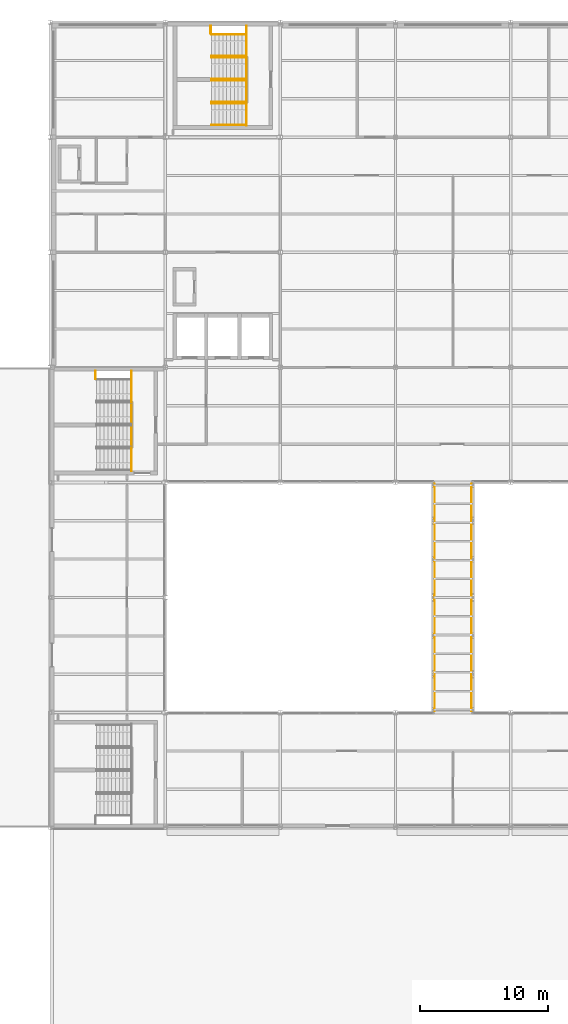
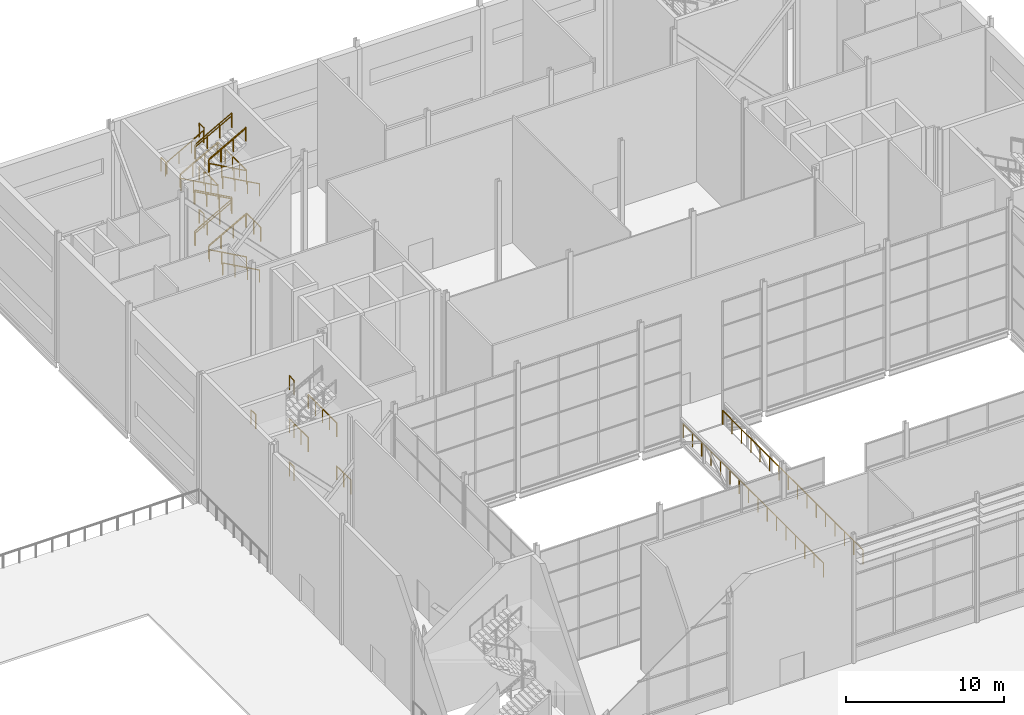
# One storey, part 108 of 111: 34 railings.
"""IFC4 building model written with IfcOpenShell, lengths in metres."""

import ifcopenshell
import ifcopenshell.guid

model = None  # the IFC model being written
_history = None  # IfcOwnerHistory: only IFC2X3 demands one
_inside = {}  # id of a spatial element -> (the spatial element, [elements in it])
_under = {}  # id of a project, library or spatial element -> (it, [spatial elements below it])
_declared = {}  # id of a project -> (the project, [libraries it declares])
_typed = {}  # id of a type object -> (the type object, [elements of that type])
_made_of = {}  # id of a material, layer set ... -> (it, [elements and type objects made of it])


def new_model(schema):
    """Start an empty IFC model of exactly this schema.

    Asked for "IFC4X3", IfcOpenShell would pick the latest addendum, in which some entities
    have other attributes; the version numbers below select the first issue.
    IFC2X3 requires an IfcOwnerHistory on every rooted entity: one is made here for all.
    """
    global model, _history
    if schema == "IFC4X3":
        model = ifcopenshell.file(schema_version=(4, 3, 0, 0))
    else:
        model = ifcopenshell.file(schema=schema)
    _inside.clear()
    _under.clear()
    _declared.clear()
    _typed.clear()
    _made_of.clear()
    _history = None
    if model.schema == "IFC2X3":
        org = make("IfcOrganization", Name="unknown")
        user = make(
            "IfcPersonAndOrganization",
            ThePerson=make("IfcPerson", FamilyName="unknown"),
            TheOrganization=org,
        )
        app = make(
            "IfcApplication",
            ApplicationDeveloper=org,
            Version="unknown",
            ApplicationFullName="unknown",
            ApplicationIdentifier="unknown",
        )
        _history = make(
            "IfcOwnerHistory",
            OwningUser=user,
            OwningApplication=app,
            ChangeAction="ADDED",
            CreationDate=0,
        )
    return model


def make(cls, **values):
    """One entity of the class cls with the attributes given. An attribute that is None is left unset."""
    return model.create_entity(
        cls, **{name: value for name, value in values.items() if value is not None}
    )


def rooted(cls, **values):
    """An entity with a GlobalId (a new one), such as an element, a storey or a relation."""
    return make(cls, GlobalId=ifcopenshell.guid.new(), OwnerHistory=_history, **values)


def si_unit(unit_type, name, prefix=None):
    """IfcSIUnit, for example si_unit("LENGTHUNIT", "METRE", prefix="MILLI")."""
    return make("IfcSIUnit", UnitType=unit_type, Prefix=prefix, Name=name)


def assignment(units):
    """IfcUnitAssignment: the units of a project."""
    return None if units is None else make("IfcUnitAssignment", Units=units)


def point(xyz):
    """IfcCartesianPoint."""
    return None if xyz is None else make("IfcCartesianPoint", Coordinates=xyz)


def direction(xyz):
    """IfcDirection."""
    return None if xyz is None else make("IfcDirection", DirectionRatios=xyz)


def frame(location, z_axis=None, x_axis=None):
    """IfcAxis2Placement3D, a coordinate frame: its origin and axes. An axis left out is left unset."""
    return make(
        "IfcAxis2Placement3D",
        Location=point(location),
        Axis=direction(z_axis),
        RefDirection=direction(x_axis),
    )


def frame_2d(location, x_axis=None):
    """IfcAxis2Placement2D, a coordinate frame in the plane: its origin and x axis."""
    return make(
        "IfcAxis2Placement2D", Location=point(location), RefDirection=direction(x_axis)
    )


def origin():
    """The frame at (0, 0, 0) with its axes left unset."""
    return frame((0.0, 0.0, 0.0))


def origin_2d():
    """The frame at (0, 0) in the plane with its x axis left unset."""
    return frame_2d((0.0, 0.0))


def place(relative_to, where):
    """IfcLocalPlacement: puts the frame where relative to a parent placement (None: the world)."""
    return make(
        "IfcLocalPlacement", PlacementRelTo=relative_to, RelativePlacement=where
    )


def context(
    kind, dimensions, precision=None, world=None, true_north=None, identifier=None
):
    """IfcGeometricRepresentationContext, for example the 3D "Model" context."""
    return make(
        "IfcGeometricRepresentationContext",
        ContextIdentifier=identifier,
        ContextType=kind,
        CoordinateSpaceDimension=dimensions,
        Precision=precision,
        WorldCoordinateSystem=world,
        TrueNorth=true_north,
    )


def subcontext(parent, identifier, kind, view, scale=None):
    """IfcGeometricRepresentationSubContext, for example "Body" below "Model"."""
    return make(
        "IfcGeometricRepresentationSubContext",
        ContextIdentifier=identifier,
        ContextType=kind,
        ParentContext=parent,
        TargetScale=scale,
        TargetView=view,
    )


def project(units=None, contexts=None):
    """IfcProject with its units and contexts."""
    return rooted(
        "IfcProject",
        Name="project",
        RepresentationContexts=contexts,
        UnitsInContext=assignment(units),
    )


def spatial(cls, under=None, at=None, **own):
    """A site, building, storey or space (cls), placed at a placement, below another one or the project."""
    s = rooted(cls, ObjectPlacement=at, **own)
    if under is not None:
        _under.setdefault(under.id(), (under, []))[1].append(s)
    return s


def profile(cls, at=None, kind="AREA", **sizes):
    """A parametric profile (cls). Its sizes go by their IFC names, for example OverallWidth=200.0."""
    return make(cls, ProfileType=kind, Position=at, **sizes)


def circle(**sizes):
    """IfcCircleProfileDef."""
    return profile("IfcCircleProfileDef", **sizes)


def extrude(swept, where, along, depth):
    """IfcExtrudedAreaSolid: the profile swept, set in the frame where, extruded along a direction by depth."""
    return make(
        "IfcExtrudedAreaSolid",
        SweptArea=swept,
        Position=where,
        ExtrudedDirection=direction(along),
        Depth=depth,
    )


def shape(context_of_items, identifier, shape_type, items):
    """IfcShapeRepresentation: the items that make up one representation, for example the "Body"."""
    return make(
        "IfcShapeRepresentation",
        ContextOfItems=context_of_items,
        RepresentationIdentifier=identifier,
        RepresentationType=shape_type,
        Items=items,
    )


def material(Name=None, Category=None):
    """IfcMaterial."""
    return make("IfcMaterial", Name=Name, Category=Category)


def made_of(thing, what):
    """Note that an element or type object is made of a material, layer set ...; save() writes the relation."""
    if what is not None:
        _made_of.setdefault(what.id(), (what, []))[1].append(thing)
    return thing


def type_object(cls, material=None, **own):
    """A type object (cls), such as IfcWallType, which elements share."""
    return made_of(rooted(cls, **own), material)


def element(
    cls,
    number,
    at=None,
    inside=None,
    cuts=None,
    type_object=None,
    material=None,
    context=None,
    identifier="Body",
    shape_type=None,
    held_by="IfcProductDefinitionShape",
    body=None,
    shapes=None,
    **own,
):
    """One element of the class cls, such as IfcWall. Its Tag is "e" and its number.

    at: its placement. inside: the storey or other place that contains it. cuts: it is an
    opening in that element (IfcRelVoidsElement). A single representation is given by context,
    identifier, shape_type and body (its items); several are given by shapes. held_by: the class
    of the entity that holds the representations. save() writes the other relations.
    """
    e = rooted(cls, Tag="e%d" % number, ObjectPlacement=at, **own)
    if body is not None:
        shapes = [shape(context, identifier, shape_type, body)]
    if shapes is not None:
        e.Representation = make(held_by, Representations=shapes)
    if inside is not None:
        _inside.setdefault(inside.id(), (inside, []))[1].append(e)
    if cuts is not None:
        rooted(
            "IfcRelVoidsElement", RelatingBuildingElement=cuts, RelatedOpeningElement=e
        )
    if type_object is not None:
        _typed.setdefault(type_object.id(), (type_object, []))[1].append(e)
    return made_of(e, material)


def aggregate(whole, parts):
    """IfcRelAggregates: a whole, such as a stair, and the parts it consists of."""
    return rooted("IfcRelAggregates", RelatingObject=whole, RelatedObjects=parts)


def save(model, path):
    """Write the relations noted so far, then the file.

    IfcRelAggregates (storeys below a building ...), IfcRelContainedInSpatialStructure (elements
    in a storey), IfcRelDefinesByType, IfcRelAssociatesMaterial and IfcRelDeclares: one each for
    every whole, place, type object, material and project.
    """
    for whole, parts in _under.values():
        aggregate(whole, parts)
    for where, things in _inside.values():
        rooted(
            "IfcRelContainedInSpatialStructure",
            RelatedElements=things,
            RelatingStructure=where,
        )
    for kind, things in _typed.values():
        rooted("IfcRelDefinesByType", RelatedObjects=things, RelatingType=kind)
    for what, things in _made_of.values():
        rooted("IfcRelAssociatesMaterial", RelatedObjects=things, RelatingMaterial=what)
    for by, libraries in _declared.values():
        rooted("IfcRelDeclares", RelatingContext=by, RelatedDefinitions=libraries)
    model.write(path)


model = new_model("IFC4")

# Units and contexts
model_context = context("Model", 3, precision=1e-05, world=origin(), true_north=direction((0.0, 1.0)))
body_context = subcontext(model_context, "Body", "Model", "MODEL_VIEW")
ifc_project = project(units=[si_unit("LENGTHUNIT", "METRE"), si_unit("AREAUNIT", "SQUARE_METRE"), si_unit("VOLUMEUNIT", "CUBIC_METRE"), si_unit("PLANEANGLEUNIT", "RADIAN"), si_unit("MASSUNIT", "GRAM", prefix="KILO")], contexts=[model_context])

# Site, building, storey
site_placement = place(None, origin())
site = spatial("IfcSite", under=ifc_project, at=site_placement, CompositionType="ELEMENT")
building_placement = place(site_placement, origin())
building = spatial("IfcBuilding", under=site, at=building_placement, Name="Shorebreak Coast Museum", CompositionType="ELEMENT")
storey_placement = place(building_placement, frame((0.0, 0.0, 16.0)))
storey = spatial("IfcBuildingStorey", under=building, at=storey_placement, Name="L03", CompositionType="ELEMENT", Elevation=16.0)

# Railings
ifc_material_1 = material(Name="Steel Grade 300", Category="steel")
railing_type_1 = type_object("IfcRailingType", Name="Bridge guard 1100", PredefinedType="GUARDRAIL", material=ifc_material_1)
railing_1_placement = place(storey_placement, frame((84.050048828125, 63.114501953125, 0.0)))
element("IfcRailing", 1, at=railing_1_placement, inside=storey, type_object=railing_type_1, Name="Guard bridge BR2 W", PredefinedType="GUARDRAIL", context=body_context, shape_type="SweptSolid", body=[
    extrude(circle(Radius=0.02490234375, at=origin_2d()), frame((0.0, 0.0, 1.0751953125), z_axis=(0.0, 1.0, 0.0), x_axis=(-1.0, 0.0, 0.0)), (0.0, 0.0, 1.0), 17.77099609375),
    extrude(circle(Radius=0.02001953125, at=origin_2d()), origin(), (0.0, 0.0, 1.0), 1.050048828125),
    extrude(circle(Radius=0.02001953125, at=origin_2d()), frame((0.0, 1.184814453125, 0.0)), (0.0, 0.0, 1.0), 1.050048828125),
    extrude(circle(Radius=0.02001953125, at=origin_2d()), frame((0.0, 2.369384765625, 0.0)), (0.0, 0.0, 1.0), 1.050048828125),
    extrude(circle(Radius=0.02001953125, at=origin_2d()), frame((0.0, 3.55419921875, 0.0)), (0.0, 0.0, 1.0), 1.050048828125),
    extrude(circle(Radius=0.02001953125, at=origin_2d()), frame((0.0, 4.739013671875, 0.0)), (0.0, 0.0, 1.0), 1.050048828125),
    extrude(circle(Radius=0.02001953125, at=origin_2d()), frame((0.0, 5.923583984375, 0.0)), (0.0, 0.0, 1.0), 1.050048828125),
    extrude(circle(Radius=0.02001953125, at=origin_2d()), frame((0.0, 7.1083984375, 0.0)), (0.0, 0.0, 1.0), 1.050048828125),
    extrude(circle(Radius=0.02001953125, at=origin_2d()), frame((0.0, 8.293212890625, 0.0)), (0.0, 0.0, 1.0), 1.050048828125),
    extrude(circle(Radius=0.02001953125, at=origin_2d()), frame((0.0, 9.477783203125, 0.0)), (0.0, 0.0, 1.0), 1.050048828125),
    extrude(circle(Radius=0.02001953125, at=origin_2d()), frame((0.0, 10.66259765625, 0.0)), (0.0, 0.0, 1.0), 1.050048828125),
    extrude(circle(Radius=0.02001953125, at=origin_2d()), frame((0.0, 11.847412109375, 0.0)), (0.0, 0.0, 1.0), 1.050048828125),
    extrude(circle(Radius=0.02001953125, at=origin_2d()), frame((0.0, 13.031982421875, 0.0)), (0.0, 0.0, 1.0), 1.050048828125),
    extrude(circle(Radius=0.02001953125, at=origin_2d()), frame((0.0, 14.216796875, 0.0)), (0.0, 0.0, 1.0), 1.050048828125),
    extrude(circle(Radius=0.02001953125, at=origin_2d()), frame((0.0, 15.401611328125, 0.0)), (0.0, 0.0, 1.0), 1.050048828125),
    extrude(circle(Radius=0.02001953125, at=origin_2d()), frame((0.0, 16.586181640625, 0.0)), (0.0, 0.0, 1.0), 1.050048828125),
    extrude(circle(Radius=0.02001953125, at=origin_2d()), frame((0.0, 17.77099609375, 0.0)), (0.0, 0.0, 1.0), 1.050048828125),
])
railing_2_placement = place(storey_placement, frame((86.949951171875, 63.114501953125, 0.0)))
element("IfcRailing", 2, at=railing_2_placement, inside=storey, type_object=railing_type_1, Name="Guard bridge BR2 E", PredefinedType="GUARDRAIL", context=body_context, shape_type="SweptSolid", body=[
    extrude(circle(Radius=0.02490234375, at=origin_2d()), frame((0.0, 0.0, 1.0751953125), z_axis=(0.0, 1.0, 0.0), x_axis=(-1.0, 0.0, 0.0)), (0.0, 0.0, 1.0), 17.77099609375),
    extrude(circle(Radius=0.02001953125, at=origin_2d()), origin(), (0.0, 0.0, 1.0), 1.050048828125),
    extrude(circle(Radius=0.02001953125, at=origin_2d()), frame((0.0, 1.184814453125, 0.0)), (0.0, 0.0, 1.0), 1.050048828125),
    extrude(circle(Radius=0.02001953125, at=origin_2d()), frame((0.0, 2.369384765625, 0.0)), (0.0, 0.0, 1.0), 1.050048828125),
    extrude(circle(Radius=0.02001953125, at=origin_2d()), frame((0.0, 3.55419921875, 0.0)), (0.0, 0.0, 1.0), 1.050048828125),
    extrude(circle(Radius=0.02001953125, at=origin_2d()), frame((0.0, 4.739013671875, 0.0)), (0.0, 0.0, 1.0), 1.050048828125),
    extrude(circle(Radius=0.02001953125, at=origin_2d()), frame((0.0, 5.923583984375, 0.0)), (0.0, 0.0, 1.0), 1.050048828125),
    extrude(circle(Radius=0.02001953125, at=origin_2d()), frame((0.0, 7.1083984375, 0.0)), (0.0, 0.0, 1.0), 1.050048828125),
    extrude(circle(Radius=0.02001953125, at=origin_2d()), frame((0.0, 8.293212890625, 0.0)), (0.0, 0.0, 1.0), 1.050048828125),
    extrude(circle(Radius=0.02001953125, at=origin_2d()), frame((0.0, 9.477783203125, 0.0)), (0.0, 0.0, 1.0), 1.050048828125),
    extrude(circle(Radius=0.02001953125, at=origin_2d()), frame((0.0, 10.66259765625, 0.0)), (0.0, 0.0, 1.0), 1.050048828125),
    extrude(circle(Radius=0.02001953125, at=origin_2d()), frame((0.0, 11.847412109375, 0.0)), (0.0, 0.0, 1.0), 1.050048828125),
    extrude(circle(Radius=0.02001953125, at=origin_2d()), frame((0.0, 13.031982421875, 0.0)), (0.0, 0.0, 1.0), 1.050048828125),
    extrude(circle(Radius=0.02001953125, at=origin_2d()), frame((0.0, 14.216796875, 0.0)), (0.0, 0.0, 1.0), 1.050048828125),
    extrude(circle(Radius=0.02001953125, at=origin_2d()), frame((0.0, 15.401611328125, 0.0)), (0.0, 0.0, 1.0), 1.050048828125),
    extrude(circle(Radius=0.02001953125, at=origin_2d()), frame((0.0, 16.586181640625, 0.0)), (0.0, 0.0, 1.0), 1.050048828125),
    extrude(circle(Radius=0.02001953125, at=origin_2d()), frame((0.0, 17.77099609375, 0.0)), (0.0, 0.0, 1.0), 1.050048828125),
])
ifc_material_2 = material(Name="Steel Grade 300", Category="steel")
railing_type_2 = type_object("IfcRailingType", Name="Stair guard 1100", PredefinedType="GUARDRAIL", material=ifc_material_2)
for number, where, name in (
    (3, (60.35009765625, 81.89990234375, 3.333251953125), "Guard ST03 L03 landing mid1"),
    (4, (60.35009765625, 87.300048828125, 3.333251953125), "Guard ST03 L03 landing mid1"),
):
    element("IfcRailing", number, at=place(storey_placement, frame(where)), inside=storey, type_object=railing_type_2, Name=name, PredefinedType="GUARDRAIL", context=body_context, shape_type="SweptSolid", body=[
        extrude(circle(Radius=0.02490234375, at=origin_2d()), frame((0.0, 0.0, 1.0751953125), z_axis=(0.0, 1.0, 0.0), x_axis=(-1.0, 0.0, 0.0)), (0.0, 0.0, 1.0), 1.800048828125),
        extrude(circle(Radius=0.02001953125, at=origin_2d()), origin(), (0.0, 0.0, 1.0), 1.050048828125),
        extrude(circle(Radius=0.02001953125, at=origin_2d()), frame((0.0, 0.89990234375, 0.0)), (0.0, 0.0, 1.0), 1.050048828125),
        extrude(circle(Radius=0.02001953125, at=origin_2d()), frame((0.0, 1.800048828125, 0.0)), (0.0, 0.0, 1.0), 1.050048828125),
    ])
railing_3_placement = place(storey_placement, frame((60.35009765625, 83.699951171875, 6.666748046875)))
element("IfcRailing", 5, at=railing_3_placement, inside=storey, type_object=railing_type_2, Name="Guard ST03 L03 landing mid2", PredefinedType="GUARDRAIL", context=body_context, shape_type="SweptSolid", body=[
    extrude(circle(Radius=0.02490234375, at=origin_2d()), frame((0.0, 0.0, 1.0751953125), z_axis=(0.0, 1.0, 0.0), x_axis=(-1.0, 0.0, 0.0)), (0.0, 0.0, 1.0), 3.60009765625),
    extrude(circle(Radius=0.02001953125, at=origin_2d()), origin(), (0.0, 0.0, 1.0), 1.050048828125),
    extrude(circle(Radius=0.02001953125, at=origin_2d()), frame((0.0, 0.89990234375, 0.0)), (0.0, 0.0, 1.0), 1.050048828125),
    extrude(circle(Radius=0.02001953125, at=origin_2d()), frame((0.0, 1.800048828125, 0.0)), (0.0, 0.0, 1.0), 1.050048828125),
    extrude(circle(Radius=0.02001953125, at=origin_2d()), frame((0.0, 2.7001953125, 0.0)), (0.0, 0.0, 1.0), 1.050048828125),
    extrude(circle(Radius=0.02001953125, at=origin_2d()), frame((0.0, 3.60009765625, 0.0)), (0.0, 0.0, 1.0), 1.050048828125),
])
for number, where, name in (
    (6, (60.35009765625, 89.10009765625, 0.0), "Guard ST03 L03 landing strip"),
    (7, (60.35009765625, 89.10009765625, 3.333251953125), "Guard ST03 L03 landing strip"),
    (8, (60.35009765625, 89.10009765625, 6.666748046875), "Guard ST03 L03 landing strip"),
    (9, (57.550048828125, 89.10009765625, 5.0), "Guard ST03 L03 landing strip"),
):
    element("IfcRailing", number, at=place(storey_placement, frame(where)), inside=storey, type_object=railing_type_2, Name=name, PredefinedType="GUARDRAIL", context=body_context, shape_type="SweptSolid", body=[
        extrude(circle(Radius=0.02490234375, at=origin_2d()), frame((0.0, 0.0, 1.0751953125), z_axis=(0.0, 1.0, 0.0), x_axis=(-1.0, 0.0, 0.0)), (0.0, 0.0, 1.0), 0.599853515625),
        extrude(circle(Radius=0.02001953125, at=origin_2d()), origin(), (0.0, 0.0, 1.0), 1.050048828125),
        extrude(circle(Radius=0.02001953125, at=origin_2d()), frame((0.0, 0.599853515625, 0.0)), (0.0, 0.0, 1.0), 1.050048828125),
    ])
for number, where, name in (
    (10, (69.35009765625, 108.89990234375, 3.333251953125), "Guard ST09 L03 landing mid1"),
    (11, (69.35009765625, 114.300048828125, 3.333251953125), "Guard ST09 L03 landing mid1"),
):
    element("IfcRailing", number, at=place(storey_placement, frame(where)), inside=storey, type_object=railing_type_2, Name=name, PredefinedType="GUARDRAIL", context=body_context, shape_type="SweptSolid", body=[
        extrude(circle(Radius=0.02490234375, at=origin_2d()), frame((0.0, 0.0, 1.0751953125), z_axis=(0.0, 1.0, 0.0), x_axis=(-1.0, 0.0, 0.0)), (0.0, 0.0, 1.0), 1.800048828125),
        extrude(circle(Radius=0.02001953125, at=origin_2d()), origin(), (0.0, 0.0, 1.0), 1.050048828125),
        extrude(circle(Radius=0.02001953125, at=origin_2d()), frame((0.0, 0.89990234375, 0.0)), (0.0, 0.0, 1.0), 1.050048828125),
        extrude(circle(Radius=0.02001953125, at=origin_2d()), frame((0.0, 1.800048828125, 0.0)), (0.0, 0.0, 1.0), 1.050048828125),
    ])
railing_4_placement = place(storey_placement, frame((69.35009765625, 110.699951171875, 6.666748046875)))
element("IfcRailing", 12, at=railing_4_placement, inside=storey, type_object=railing_type_2, Name="Guard ST09 L03 landing mid2", PredefinedType="GUARDRAIL", context=body_context, shape_type="SweptSolid", body=[
    extrude(circle(Radius=0.02490234375, at=origin_2d()), frame((0.0, 0.0, 1.0751953125), z_axis=(0.0, 1.0, 0.0), x_axis=(-1.0, 0.0, 0.0)), (0.0, 0.0, 1.0), 3.60009765625),
    extrude(circle(Radius=0.02001953125, at=origin_2d()), origin(), (0.0, 0.0, 1.0), 1.050048828125),
    extrude(circle(Radius=0.02001953125, at=origin_2d()), frame((0.0, 0.89990234375, 0.0)), (0.0, 0.0, 1.0), 1.050048828125),
    extrude(circle(Radius=0.02001953125, at=origin_2d()), frame((0.0, 1.800048828125, 0.0)), (0.0, 0.0, 1.0), 1.050048828125),
    extrude(circle(Radius=0.02001953125, at=origin_2d()), frame((0.0, 2.7001953125, 0.0)), (0.0, 0.0, 1.0), 1.050048828125),
    extrude(circle(Radius=0.02001953125, at=origin_2d()), frame((0.0, 3.60009765625, 0.0)), (0.0, 0.0, 1.0), 1.050048828125),
])
for number, where, name in (
    (13, (69.35009765625, 116.10009765625, 0.0), "Guard ST09 L03 landing strip"),
    (14, (69.35009765625, 116.10009765625, 3.333251953125), "Guard ST09 L03 landing strip"),
    (15, (69.35009765625, 116.10009765625, 6.666748046875), "Guard ST09 L03 landing strip"),
    (16, (66.550048828125, 116.10009765625, 5.0), "Guard ST09 L03 landing strip"),
):
    element("IfcRailing", number, at=place(storey_placement, frame(where)), inside=storey, type_object=railing_type_2, Name=name, PredefinedType="GUARDRAIL", context=body_context, shape_type="SweptSolid", body=[
        extrude(circle(Radius=0.02490234375, at=origin_2d()), frame((0.0, 0.0, 1.0751953125), z_axis=(0.0, 1.0, 0.0), x_axis=(-1.0, 0.0, 0.0)), (0.0, 0.0, 1.0), 0.599853515625),
        extrude(circle(Radius=0.02001953125, at=origin_2d()), origin(), (0.0, 0.0, 1.0), 1.050048828125),
        extrude(circle(Radius=0.02001953125, at=origin_2d()), frame((0.0, 0.599853515625, 0.0)), (0.0, 0.0, 1.0), 1.050048828125),
    ])
for number, where, name in (
    (17, (66.60009765625, 110.699951171875, 1.833251953125), "Guard ST09-L03 well 1"),
    (18, (66.60009765625, 114.300048828125, 5.166748046875), "Guard ST09-L03 well 2"),
    (19, (66.60009765625, 110.699951171875, 8.5), "Guard ST09-L03 well 3"),
    (20, (66.60009765625, 112.5, 1.833251953125), "Guard ST09-L03 side 1"),
):
    element("IfcRailing", number, at=place(storey_placement, frame(where)), inside=storey, type_object=railing_type_2, Name=name, PredefinedType="GUARDRAIL", context=body_context, shape_type="SweptSolid", body=[
        extrude(circle(Radius=0.02490234375, at=origin_2d()), frame((0.0, 0.0, 1.0751953125), z_axis=(0.87415354758, 0.0, 0.485649642493), x_axis=(0.0, 1.0, 0.0)), (0.0, 0.0, 1.0), 3.088623046875),
        extrude(circle(Radius=0.02001953125, at=origin_2d()), origin(), (0.0, 0.0, 1.0), 1.050048828125),
        extrude(circle(Radius=0.02001953125, at=origin_2d()), frame((0.89990234375, 0.0, 0.5)), (0.0, 0.0, 1.0), 1.050048828125),
        extrude(circle(Radius=0.02001953125, at=origin_2d()), frame((1.800048828125, 0.0, 1.0)), (0.0, 0.0, 1.0), 1.050048828125),
        extrude(circle(Radius=0.02001953125, at=origin_2d()), frame((2.699951171875, 0.0, 1.5)), (0.0, 0.0, 1.0), 1.050048828125),
    ])
railing_5_placement = place(storey_placement, frame((69.300048828125, 112.5, 3.5)))
element("IfcRailing", 21, at=railing_5_placement, inside=storey, type_object=railing_type_2, Name="Guard ST09-L03 side 2", PredefinedType="GUARDRAIL", context=body_context, shape_type="SweptSolid", body=[
    extrude(circle(Radius=0.02490234375, at=origin_2d()), frame((0.0, 0.0, 1.0751953125), z_axis=(-0.87415354758, 0.0, 0.485649642493), x_axis=(0.0, -1.0, 0.0)), (0.0, 0.0, 1.0), 3.088623046875),
    extrude(circle(Radius=0.02001953125, at=origin_2d()), origin(), (0.0, 0.0, 1.0), 1.050048828125),
    extrude(circle(Radius=0.02001953125, at=origin_2d()), frame((-0.89990234375, 0.0, 0.5)), (0.0, 0.0, 1.0), 1.050048828125),
    extrude(circle(Radius=0.02001953125, at=origin_2d()), frame((-1.800048828125, 0.0, 1.0)), (0.0, 0.0, 1.0), 1.050048828125),
    extrude(circle(Radius=0.02001953125, at=origin_2d()), frame((-2.699951171875, 0.0, 1.5)), (0.0, 0.0, 1.0), 1.050048828125),
])
railing_6_placement = place(storey_placement, frame((66.60009765625, 112.5, 8.5)))
element("IfcRailing", 22, at=railing_6_placement, inside=storey, type_object=railing_type_2, Name="Guard ST09-L03 side 3", PredefinedType="GUARDRAIL", context=body_context, shape_type="SweptSolid", body=[
    extrude(circle(Radius=0.02490234375, at=origin_2d()), frame((0.0, 0.0, 1.0751953125), z_axis=(0.87415354758, 0.0, 0.485649642493), x_axis=(0.0, 1.0, 0.0)), (0.0, 0.0, 1.0), 3.088623046875),
    extrude(circle(Radius=0.02001953125, at=origin_2d()), origin(), (0.0, 0.0, 1.0), 1.050048828125),
    extrude(circle(Radius=0.02001953125, at=origin_2d()), frame((0.89990234375, 0.0, 0.5)), (0.0, 0.0, 1.0), 1.050048828125),
    extrude(circle(Radius=0.02001953125, at=origin_2d()), frame((1.800048828125, 0.0, 1.0)), (0.0, 0.0, 1.0), 1.050048828125),
    extrude(circle(Radius=0.02001953125, at=origin_2d()), frame((2.699951171875, 0.0, 1.5)), (0.0, 0.0, 1.0), 1.050048828125),
])
ifc_material_3 = material(Name="Steel Grade 300", Category="steel")
railing_type_3 = type_object("IfcRailingType", Name="Stair handrail 950", PredefinedType="HANDRAIL", material=ifc_material_3)
for number, where, name in (
    (23, (69.300048828125, 108.9599609375, 0.166748046875), "Handrail ST09-L03 flight 1a"),
    (24, (69.300048828125, 110.639892578125, 0.166748046875), "Handrail ST09-L03 flight 1b"),
):
    element("IfcRailing", number, at=place(storey_placement, frame(where)), inside=storey, type_object=railing_type_3, Name=name, PredefinedType="HANDRAIL", context=body_context, shape_type="SweptSolid", body=[
        extrude(circle(Radius=0.02490234375, at=origin_2d()), frame((0.0, 0.0, 0.9248046875), z_axis=(-0.87415354758, 0.0, 0.485649642493), x_axis=(0.0, -1.0, 0.0)), (0.0, 0.0, 1.0), 3.088623046875),
        extrude(circle(Radius=0.02001953125, at=origin_2d()), origin(), (0.0, 0.0, 1.0), 0.89990234375),
        extrude(circle(Radius=0.02001953125, at=origin_2d()), frame((-0.89990234375, 0.0, 0.5)), (0.0, 0.0, 1.0), 0.89990234375),
        extrude(circle(Radius=0.02001953125, at=origin_2d()), frame((-1.800048828125, 0.0, 1.0)), (0.0, 0.0, 1.0), 0.89990234375),
        extrude(circle(Radius=0.02001953125, at=origin_2d()), frame((-2.699951171875, 0.0, 1.5)), (0.0, 0.0, 1.0), 0.89990234375),
    ])
for number, where, name in (
    (25, (66.60009765625, 110.760009765625, 1.833251953125), "Handrail ST09-L03 flight 2a"),
    (26, (66.60009765625, 112.43994140625, 1.833251953125), "Handrail ST09-L03 flight 2b"),
):
    element("IfcRailing", number, at=place(storey_placement, frame(where)), inside=storey, type_object=railing_type_3, Name=name, PredefinedType="HANDRAIL", context=body_context, shape_type="SweptSolid", body=[
        extrude(circle(Radius=0.02490234375, at=origin_2d()), frame((0.0, 0.0, 0.9248046875), z_axis=(0.87415354758, 0.0, 0.485649642493), x_axis=(0.0, 1.0, 0.0)), (0.0, 0.0, 1.0), 3.088623046875),
        extrude(circle(Radius=0.02001953125, at=origin_2d()), origin(), (0.0, 0.0, 1.0), 0.89990234375),
        extrude(circle(Radius=0.02001953125, at=origin_2d()), frame((0.89990234375, 0.0, 0.5)), (0.0, 0.0, 1.0), 0.89990234375),
        extrude(circle(Radius=0.02001953125, at=origin_2d()), frame((1.800048828125, 0.0, 1.0)), (0.0, 0.0, 1.0), 0.89990234375),
        extrude(circle(Radius=0.02001953125, at=origin_2d()), frame((2.699951171875, 0.0, 1.5)), (0.0, 0.0, 1.0), 0.89990234375),
    ])
for number, where, name in (
    (27, (69.300048828125, 112.56005859375, 3.5), "Handrail ST09-L03 flight 3a"),
    (28, (69.300048828125, 114.239990234375, 3.5), "Handrail ST09-L03 flight 3b"),
):
    element("IfcRailing", number, at=place(storey_placement, frame(where)), inside=storey, type_object=railing_type_3, Name=name, PredefinedType="HANDRAIL", context=body_context, shape_type="SweptSolid", body=[
        extrude(circle(Radius=0.02490234375, at=origin_2d()), frame((0.0, 0.0, 0.9248046875), z_axis=(-0.87415354758, 0.0, 0.485649642493), x_axis=(0.0, -1.0, 0.0)), (0.0, 0.0, 1.0), 3.088623046875),
        extrude(circle(Radius=0.02001953125, at=origin_2d()), origin(), (0.0, 0.0, 1.0), 0.89990234375),
        extrude(circle(Radius=0.02001953125, at=origin_2d()), frame((-0.89990234375, 0.0, 0.5)), (0.0, 0.0, 1.0), 0.89990234375),
        extrude(circle(Radius=0.02001953125, at=origin_2d()), frame((-1.800048828125, 0.0, 1.0)), (0.0, 0.0, 1.0), 0.89990234375),
        extrude(circle(Radius=0.02001953125, at=origin_2d()), frame((-2.699951171875, 0.0, 1.5)), (0.0, 0.0, 1.0), 0.89990234375),
    ])
for number, where, name in (
    (29, (66.60009765625, 114.360107421875, 5.166748046875), "Handrail ST09-L03 flight 4a"),
    (30, (66.60009765625, 116.0400390625, 5.166748046875), "Handrail ST09-L03 flight 4b"),
):
    element("IfcRailing", number, at=place(storey_placement, frame(where)), inside=storey, type_object=railing_type_3, Name=name, PredefinedType="HANDRAIL", context=body_context, shape_type="SweptSolid", body=[
        extrude(circle(Radius=0.02490234375, at=origin_2d()), frame((0.0, 0.0, 0.9248046875), z_axis=(0.87415354758, 0.0, 0.485649642493), x_axis=(0.0, 1.0, 0.0)), (0.0, 0.0, 1.0), 3.088623046875),
        extrude(circle(Radius=0.02001953125, at=origin_2d()), origin(), (0.0, 0.0, 1.0), 0.89990234375),
        extrude(circle(Radius=0.02001953125, at=origin_2d()), frame((0.89990234375, 0.0, 0.5)), (0.0, 0.0, 1.0), 0.89990234375),
        extrude(circle(Radius=0.02001953125, at=origin_2d()), frame((1.800048828125, 0.0, 1.0)), (0.0, 0.0, 1.0), 0.89990234375),
        extrude(circle(Radius=0.02001953125, at=origin_2d()), frame((2.699951171875, 0.0, 1.5)), (0.0, 0.0, 1.0), 0.89990234375),
    ])
for number, where, name in (
    (31, (69.300048828125, 108.9599609375, 6.833251953125), "Handrail ST09-L03 flight 5a"),
    (32, (69.300048828125, 110.639892578125, 6.833251953125), "Handrail ST09-L03 flight 5b"),
):
    element("IfcRailing", number, at=place(storey_placement, frame(where)), inside=storey, type_object=railing_type_3, Name=name, PredefinedType="HANDRAIL", context=body_context, shape_type="SweptSolid", body=[
        extrude(circle(Radius=0.02490234375, at=origin_2d()), frame((0.0, 0.0, 0.9248046875), z_axis=(-0.87415354758, 0.0, 0.485649642493), x_axis=(0.0, -1.0, 0.0)), (0.0, 0.0, 1.0), 3.088623046875),
        extrude(circle(Radius=0.02001953125, at=origin_2d()), origin(), (0.0, 0.0, 1.0), 0.89990234375),
        extrude(circle(Radius=0.02001953125, at=origin_2d()), frame((-0.89990234375, 0.0, 0.5)), (0.0, 0.0, 1.0), 0.89990234375),
        extrude(circle(Radius=0.02001953125, at=origin_2d()), frame((-1.800048828125, 0.0, 1.0)), (0.0, 0.0, 1.0), 0.89990234375),
        extrude(circle(Radius=0.02001953125, at=origin_2d()), frame((-2.699951171875, 0.0, 1.5)), (0.0, 0.0, 1.0), 0.89990234375),
    ])
for number, where, name in (
    (33, (66.60009765625, 110.760009765625, 8.5), "Handrail ST09-L03 flight 6a"),
    (34, (66.60009765625, 112.43994140625, 8.5), "Handrail ST09-L03 flight 6b"),
):
    element("IfcRailing", number, at=place(storey_placement, frame(where)), inside=storey, type_object=railing_type_3, Name=name, PredefinedType="HANDRAIL", context=body_context, shape_type="SweptSolid", body=[
        extrude(circle(Radius=0.02490234375, at=origin_2d()), frame((0.0, 0.0, 0.9248046875), z_axis=(0.87415354758, 0.0, 0.485649642493), x_axis=(0.0, 1.0, 0.0)), (0.0, 0.0, 1.0), 3.088623046875),
        extrude(circle(Radius=0.02001953125, at=origin_2d()), origin(), (0.0, 0.0, 1.0), 0.89990234375),
        extrude(circle(Radius=0.02001953125, at=origin_2d()), frame((0.89990234375, 0.0, 0.5)), (0.0, 0.0, 1.0), 0.89990234375),
        extrude(circle(Radius=0.02001953125, at=origin_2d()), frame((1.800048828125, 0.0, 1.0)), (0.0, 0.0, 1.0), 0.89990234375),
        extrude(circle(Radius=0.02001953125, at=origin_2d()), frame((2.699951171875, 0.0, 1.5)), (0.0, 0.0, 1.0), 0.89990234375),
    ])

save(model, "model.ifc")
